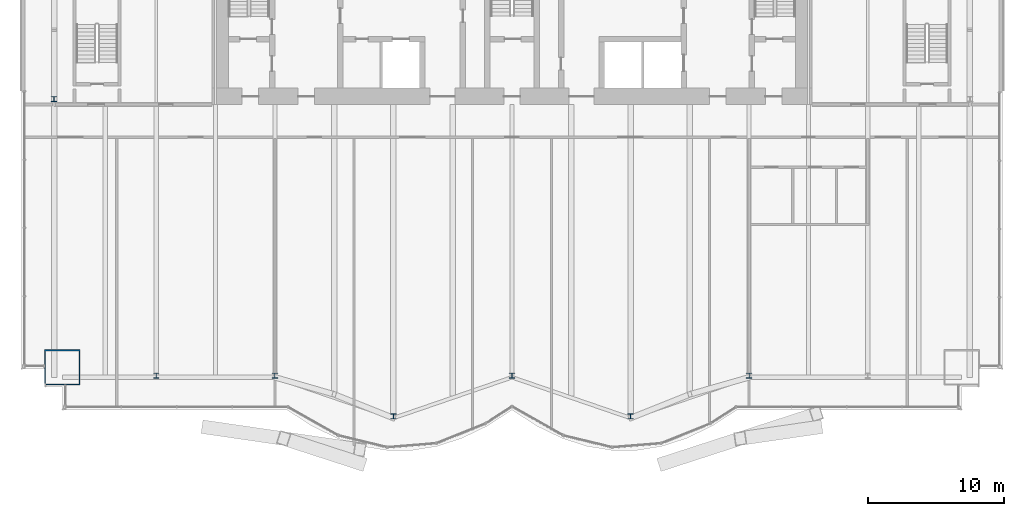
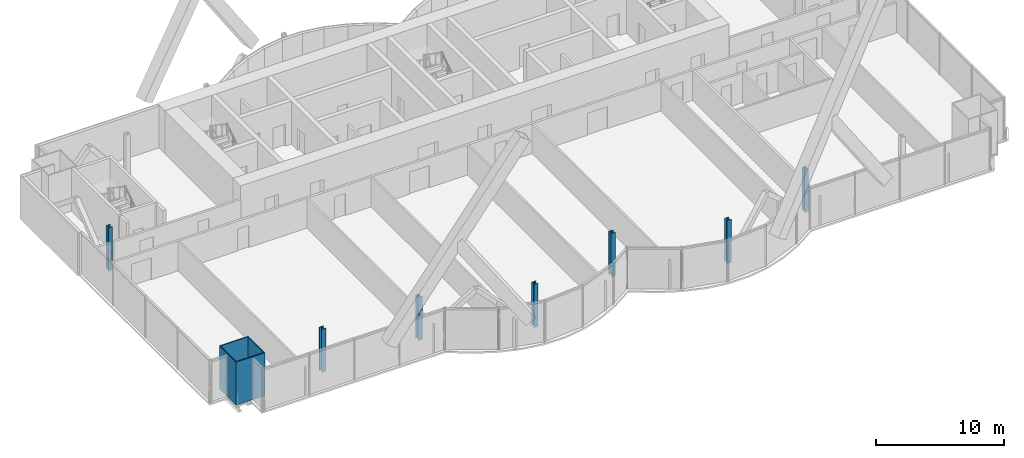
# One storey, part 1 of 23: 8 columns.
"""IFC4 building model written with IfcOpenShell, lengths in metres."""

from ifc_helpers import new_model, si_unit, direction, frame, origin, origin_2d, place, context, subcontext, project, spatial, hollow_rectangle, i_section, extrude, material, material_profile, profile_set, type_object, element, save


model = new_model("IFC4")

# Units and contexts
model_context = context("Model", 3, precision=1e-05, world=origin(), true_north=direction((0.0, 1.0)))
body_context = subcontext(model_context, "Body", "Model", "MODEL_VIEW")
ifc_project = project(units=[si_unit("LENGTHUNIT", "METRE"), si_unit("AREAUNIT", "SQUARE_METRE"), si_unit("VOLUMEUNIT", "CUBIC_METRE"), si_unit("PLANEANGLEUNIT", "RADIAN"), si_unit("MASSUNIT", "GRAM", prefix="KILO")], contexts=[model_context])

# Site, building, storey
site_placement = place(None, origin())
site = spatial("IfcSite", under=ifc_project, at=site_placement, CompositionType="ELEMENT")
building_placement = place(site_placement, origin())
building = spatial("IfcBuilding", under=site, at=building_placement, Name="Bicima Exchange Tower", CompositionType="ELEMENT")
storey_placement = place(building_placement, frame((0.0, 0.0, 152.699951171875)))
storey = spatial("IfcBuildingStorey", under=building, at=storey_placement, Name="L33", CompositionType="ELEMENT", Elevation=152.699951171875)

# Columns
ifc_material_1 = material(Name="Steel ASTM A572 Gr 50", Category="steel")
ifc_material_profile_1 = material_profile(ifc_material_1, hollow_rectangle(XDim=2.60009765625, YDim=2.60009765625, WallThickness=0.080078125, at=origin_2d()))
ifc_profile_set_1 = profile_set([ifc_material_profile_1], Name="Steel ASTM A572 Gr 50")
column_type_1 = type_object("IfcColumnType", Name="Mega column BOX 2600x2600x80", PredefinedType="COLUMN", material=ifc_profile_set_1)
column_placement = place(storey_placement, frame((-33.0, -32.2900390625, 0.0), z_axis=(0.0, 0.0, 1.0), x_axis=(1.0, 0.0, 0.0)))
element("IfcColumn", 1, at=column_placement, inside=storey, type_object=column_type_1, Name="Mega column mega-33.0f", PredefinedType="COLUMN", context=body_context, shape_type="SweptSolid", body=[
    extrude(hollow_rectangle(XDim=2.60009765625, YDim=2.60009765625, WallThickness=0.080078125, at=origin_2d()), origin(), (0.0, 0.0, 1.0), 4.10009765625),
])
ifc_material_2 = material(Name="Steel ASTM A992 Gr 50", Category="steel")
ifc_material_profile_2 = material_profile(ifc_material_2, i_section(OverallWidth=0.396240234375, OverallDepth=0.381103515625, WebThickness=0.01904296875, FlangeThickness=0.0302734375, at=origin_2d()))
ifc_profile_set_2 = profile_set([ifc_material_profile_2], Name="Steel ASTM A992 Gr 50")
column_type_2 = type_object("IfcColumnType", Name="Perimeter column W14x159", PredefinedType="COLUMN", material=ifc_profile_set_2)
for number, where, z_axis, x_axis, name in (
    (2, (-26.10009765625, -32.889892578125, 0.0), (0.0, 0.0, 1.0), (1.0, 0.0, 0.0), "Perimeter column grav-26.1f"),
    (3, (-17.39990234375, -32.889892578125, 0.0), (0.0, 0.0, 1.0), (1.0, 0.0, 0.0), "Perimeter column grav-17.4f"),
    (4, (-8.699951171875, -35.881103515625, 0.0), (0.0, 0.0, 1.0), (1.0, 0.0, 0.0), "Perimeter column grav-8.7f"),
    (5, (0.0, -32.889892578125, 0.0), (0.0, 0.0, 1.0), (1.0, 0.0, 0.0), "Perimeter column grav-0.0f"),
    (6, (8.699951171875, -35.881103515625, 0.0), (0.0, 0.0, 1.0), (1.0, 0.0, 0.0), "Perimeter column grav+8.7f"),
    (7, (17.39990234375, -32.889892578125, 0.0), (0.0, 0.0, 1.0), (1.0, 0.0, 0.0), "Perimeter column grav+17.4f"),
    (8, (-33.60009765625, -12.60009765625, 0.0), (0.0, 0.0, 1.0), (1.0, 0.0, 0.0), "End column end-33.6e"),
):
    element("IfcColumn", number, at=place(storey_placement, frame(where, z_axis=z_axis, x_axis=x_axis)), inside=storey, type_object=column_type_2, Name=name, PredefinedType="COLUMN", context=body_context, shape_type="SweptSolid", body=[
        extrude(i_section(OverallWidth=0.396240234375, OverallDepth=0.381103515625, WebThickness=0.01904296875, FlangeThickness=0.0302734375, at=origin_2d()), origin(), (0.0, 0.0, 1.0), 4.10009765625),
    ])

save(model, "model.ifc")
